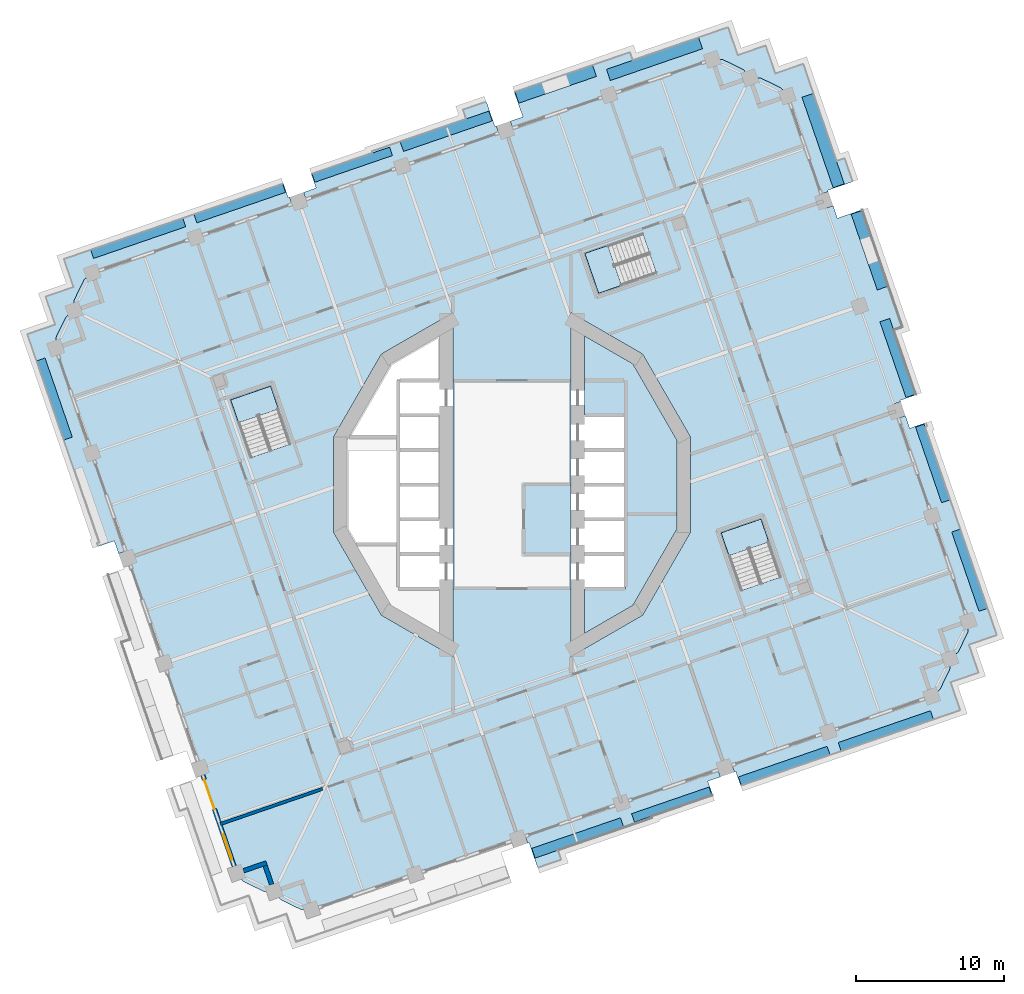
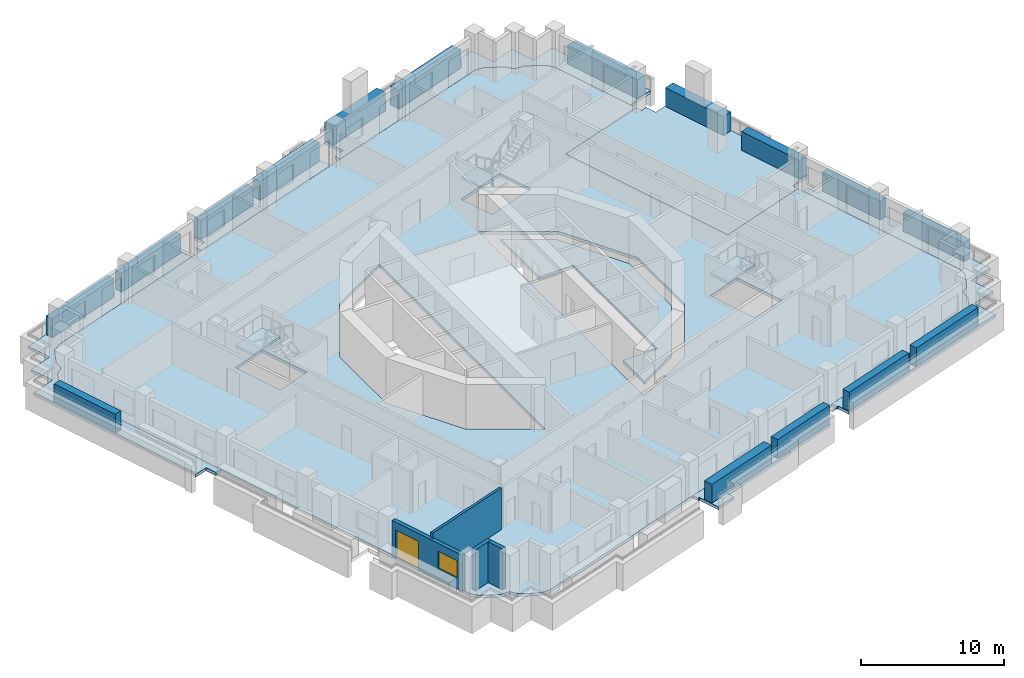
# One storey, part 3 of 19: 16 plates, 11 slabs, 4 walls, 1 door, 1 window, 2 openings, 3 elements without a shape of their own.
"""IFC4 building model written with IfcOpenShell, lengths in metres."""

from ifc_helpers import new_model, si_unit, direction, frame, frame_2d, origin, origin_2d, place, context, subcontext, project, spatial, polyline, rectangle, outline, extrude, material, layer, layer_set, type_object, element, fill, aggregate, save


model = new_model("IFC4")

# Units and contexts
model_context = context("Model", 3, precision=1e-05, world=origin(), true_north=direction((0.0, 1.0)))
body_context = subcontext(model_context, "Body", "Model", "MODEL_VIEW")
ifc_project = project(units=[si_unit("LENGTHUNIT", "METRE"), si_unit("AREAUNIT", "SQUARE_METRE"), si_unit("VOLUMEUNIT", "CUBIC_METRE"), si_unit("PLANEANGLEUNIT", "RADIAN"), si_unit("MASSUNIT", "GRAM", prefix="KILO")], contexts=[model_context])

# Site, building, storey
site_placement = place(None, origin())
site = spatial("IfcSite", under=ifc_project, at=site_placement, CompositionType="ELEMENT")
building_placement = place(site_placement, origin())
building = spatial("IfcBuilding", under=site, at=building_placement, Name="Cantera Rosa Tower", CompositionType="ELEMENT")
storey_placement = place(building_placement, frame((0.0, 0.0, 123.10009765625)))
storey = spatial("IfcBuildingStorey", under=building, at=storey_placement, Name="L25", CompositionType="ELEMENT", Elevation=123.10009765625)

# Slabs
ifc_material_1 = material(Name="Concrete C35/45", Category="concrete")
ifc_layer_1 = layer(ifc_material_1, 0.25)
ifc_layer_set_1 = layer_set([ifc_layer_1], Name="COMPOSITE FLOOR SLAB 250 C35/45")
slab_type_1 = type_object("IfcSlabType", Name="COMPOSITE FLOOR SLAB 250 C35/45", PredefinedType="FLOOR", material=ifc_layer_set_1)
slab_1_placement = place(storey_placement, frame((0.0, 0.0, -0.25)))
element("IfcSlab", 1, at=slab_1_placement, inside=storey, type_object=slab_type_1, Name="SLAB L25 floor 2", PredefinedType="FLOOR", context=body_context, shape_type="SweptSolid", body=[
    extrude(outline(polyline([(-15.605712890625, -28.125), (-15.631591796875, -28.111083984375), (-15.65576171875, -28.09423828125), (-15.67822265625, -28.075439453125), (-15.698974609375, -28.05419921875), (-16.109619140625, -27.54541015625), (-16.763671875, -27.534912109375), (-16.79296875, -27.53173828125), (-16.82177734375, -27.525634765625), (-16.849609375, -27.516845703125), (-16.876708984375, -27.505126953125), (-18.14794921875, -26.88525390625), (-18.173583984375, -26.87109375), (-18.197998046875, -26.8544921875), (-18.220458984375, -26.83544921875), (-18.240966796875, -26.814453125), (-18.65185546875, -26.3056640625), (-18.948974609375, -25.443115234375), (-30.893310546875, 9.245849609375), (-30.8828125, 9.899658203125), (-30.87939453125, 9.928955078125), (-30.873291015625, 9.957763671875), (-30.864501953125, 9.98583984375), (-30.852783203125, 10.012939453125), (-30.23291015625, 11.283935546875), (-30.21875, 11.309814453125), (-30.2021484375, 11.333984375), (-30.18310546875, 11.356689453125), (-30.162109375, 11.377197265625), (-29.6533203125, 11.7880859375), (-29.642822265625, 12.44189453125), (-29.6396484375, 12.47119140625), (-29.633544921875, 12.5), (-29.62451171875, 12.528076171875), (-29.613037109375, 12.55517578125), (-28.9931640625, 13.826171875), (-28.97900390625, 13.85205078125), (-28.962158203125, 13.876220703125), (-28.943359375, 13.898681640625), (-28.922119140625, 13.91943359375), (-28.41357421875, 14.330078125), (-27.55078125, 14.627197265625), (13.567626953125, 28.785400390625), (14.221435546875, 28.77490234375), (14.250732421875, 28.771728515625), (14.279541015625, 28.765625), (14.3076171875, 28.756591796875), (14.334716796875, 28.7451171875), (15.605712890625, 28.125), (15.631591796875, 28.111083984375), (15.65576171875, 28.09423828125), (15.67822265625, 28.075439453125), (15.698974609375, 28.05419921875), (16.109619140625, 27.54541015625), (16.763671875, 27.534912109375), (16.79296875, 27.53173828125), (16.82177734375, 27.525634765625), (16.849609375, 27.516845703125), (16.876708984375, 27.505126953125), (18.14794921875, 26.88525390625), (18.173583984375, 26.87109375), (18.197998046875, 26.8544921875), (18.220458984375, 26.83544921875), (18.240966796875, 26.814453125), (18.65185546875, 26.3056640625), (18.948974609375, 25.443115234375), (21.10009765625, 19.1953125), (14.0087890625, 16.753662109375), (18.9052734375, 2.532958984375), (25.99658203125, 4.974609375), (30.893310546875, -9.245849609375), (30.8828125, -9.899658203125), (30.87939453125, -9.928955078125), (30.873291015625, -9.957763671875), (30.864501953125, -9.98583984375), (30.852783203125, -10.012939453125), (30.23291015625, -11.283935546875), (30.21875, -11.309814453125), (30.2021484375, -11.333984375), (30.18310546875, -11.356689453125), (30.162109375, -11.377197265625), (29.6533203125, -11.7880859375), (29.642822265625, -12.44189453125), (29.6396484375, -12.47119140625), (29.633544921875, -12.5), (29.62451171875, -12.528076171875), (29.613037109375, -12.55517578125), (28.9931640625, -13.826171875), (28.97900390625, -13.85205078125), (28.962158203125, -13.876220703125), (28.943359375, -13.898681640625), (28.922119140625, -13.91943359375), (28.41357421875, -14.330078125), (27.55078125, -14.627197265625), (-13.567626953125, -28.785400390625), (-14.221435546875, -28.77490234375), (-14.250732421875, -28.771728515625), (-14.279541015625, -28.765625), (-14.3076171875, -28.756591796875), (-14.334716796875, -28.7451171875), (-15.605712890625, -28.125)]), holes=[polyline([(-12.07421875, 3.235107421875), (-12.07421875, -3.235107421875), (-8.8388671875, -8.8388671875), (-4.0, -11.632568359375), (-4.0, 11.632568359375), (-8.8388671875, 8.8388671875), (-12.07421875, 3.235107421875)]), polyline([(-16.347900390625, 6.6640625), (-19.042724609375, 5.736083984375), (-17.695556640625, 1.82373046875), (-15.000732421875, 2.751708984375), (-16.347900390625, 6.6640625)]), polyline([(16.85205078125, -2.3359375), (14.1572265625, -3.263916015625), (15.50439453125, -7.17626953125), (18.19921875, -6.248291015625), (16.85205078125, -2.3359375)]), polyline([(12.07421875, -3.235107421875), (12.07421875, 3.235107421875), (8.8388671875, 8.8388671875), (4.0, 11.632568359375), (4.0, -11.632568359375), (8.8388671875, -8.8388671875), (12.07421875, -3.235107421875)]), polyline([(8.848388671875, 16.999267578125), (4.935791015625, 15.652099609375), (5.86376953125, 12.957275390625), (9.7763671875, 14.304443359375), (8.848388671875, 16.999267578125)])]), origin(), (0.0, 0.0, 1.0), 0.25),
])
slab_2_placement = place(storey_placement, frame((0.0, 0.0, -0.25)))
element("IfcSlab", 2, at=slab_2_placement, inside=storey, type_object=slab_type_1, Name="SLAB L25 floor 3", PredefinedType="FLOOR", context=body_context, shape_type="SweptSolid", body=[
    extrude(outline(polyline([(7.699951171875, 0.0), (7.699951171875, 2.35009765625), (7.699951171875, 4.699951171875), (4.89990234375, 4.699951171875), (4.89990234375, 10.07373046875), (8.179931640625, 8.179931640625), (11.174072265625, 2.994140625), (11.174072265625, -2.994140625), (8.179931640625, -8.179931640625), (4.89990234375, -10.07373046875), (4.89990234375, -7.050048828125), (7.699951171875, -7.050048828125), (7.699951171875, -4.699951171875), (7.699951171875, -2.35009765625), (7.699951171875, 0.0)])), origin(), (0.0, 0.0, 1.0), 0.25),
])
ifc_material_2 = material(Name="Concrete C35/45", Category="concrete")
ifc_layer_2 = layer(ifc_material_2, 0.25)
ifc_layer_set_2 = layer_set([ifc_layer_2], Name="LOGGIA SLAB 250 C35/45")
slab_type_2 = type_object("IfcSlabType", Name="LOGGIA SLAB 250 C35/45", PredefinedType="FLOOR", material=ifc_layer_set_2)
slab_3_placement = place(storey_placement, frame((0.0, 0.0, -0.25)))
element("IfcSlab", 3, at=slab_3_placement, inside=storey, type_object=slab_type_2, Name="LOGGIA SLAB L25 1", PredefinedType="FLOOR", context=body_context, shape_type="SweptSolid", body=[
    extrude(outline(polyline([(-32.7998046875, 10.17578125), (-31.381591796875, 10.6640625), (-30.908935546875, 10.826904296875), (-31.071533203125, 11.2998046875), (-31.56005859375, 12.718017578125), (-30.1416015625, 13.206298828125), (-29.6689453125, 13.369140625), (-29.831787109375, 13.841796875), (-30.320068359375, 15.260009765625), (-28.90185546875, 15.74853515625), (-23.3232421875, 17.669189453125), (-20.48681640625, 18.64599609375), (-16.326416015625, 20.07861328125), (-15.4755859375, 20.37158203125), (-15.14990234375, 19.426025390625), (-15.055419921875, 19.45849609375), (-14.892578125, 18.98583984375), (-27.55078125, 14.627197265625), (-28.41357421875, 14.330078125), (-28.922119140625, 13.91943359375), (-28.943359375, 13.898681640625), (-28.962158203125, 13.876220703125), (-28.97900390625, 13.85205078125), (-28.9931640625, 13.826171875), (-29.613037109375, 12.55517578125), (-29.62451171875, 12.528076171875), (-29.633544921875, 12.5), (-29.6396484375, 12.47119140625), (-29.642822265625, 12.44189453125), (-29.6533203125, 11.7880859375), (-30.162109375, 11.377197265625), (-30.18310546875, 11.356689453125), (-30.2021484375, 11.333984375), (-30.21875, 11.309814453125), (-30.23291015625, 11.283935546875), (-30.852783203125, 10.012939453125), (-30.864501953125, 9.98583984375), (-30.873291015625, 9.957763671875), (-30.87939453125, 9.928955078125), (-30.8828125, 9.899658203125), (-30.893310546875, 9.245849609375), (-26.159423828125, -4.501953125), (-26.63232421875, -4.664794921875), (-26.92529296875, -3.813720703125), (-28.001708984375, -4.184326171875), (-28.079345703125, -3.958984375), (-27.948486328125, -3.913818359375), (-29.375, 0.22900390625), (-30.3515625, 3.0654296875), (-32.3115234375, 8.757568359375), (-32.7998046875, 10.17578125)])), origin(), (0.0, 0.0, 1.0), 0.25),
])
slab_4_placement = place(storey_placement, frame((0.0, 0.0, -0.25)))
element("IfcSlab", 4, at=slab_4_placement, inside=storey, type_object=slab_type_2, Name="LOGGIA SLAB L25 4", PredefinedType="FLOOR", context=body_context, shape_type="SweptSolid", body=[
    extrude(outline(polyline([(-1.73193359375, 25.916748046875), (-1.15625, 24.244384765625), (-1.061767578125, 24.277099609375), (-0.89892578125, 23.80419921875), (-13.947021484375, 19.311279296875), (-14.10986328125, 19.7841796875), (-13.2587890625, 20.0771484375), (-13.58447265625, 21.022705078125), (-13.489990234375, 21.05517578125), (-9.44140625, 22.44921875), (-9.47998046875, 22.56103515625), (-3.097900390625, 24.758544921875), (-3.309814453125, 25.37353515625), (-1.73193359375, 25.916748046875)])), origin(), (0.0, 0.0, 1.0), 0.25),
])
slab_5_placement = place(storey_placement, frame((0.0, 0.0, -0.25)))
element("IfcSlab", 5, at=slab_5_placement, inside=storey, type_object=slab_type_2, Name="LOGGIA SLAB L25 5", PredefinedType="FLOOR", context=body_context, shape_type="SweptSolid", body=[
    extrude(outline(polyline([(14.10986328125, -19.7841796875), (13.2587890625, -20.0771484375), (13.58447265625, -21.022705078125), (13.489990234375, -21.05517578125), (9.44140625, -22.44921875), (9.47998046875, -22.56103515625), (3.097900390625, -24.758544921875), (3.309814453125, -25.37353515625), (1.73193359375, -25.916748046875), (1.15625, -24.244384765625), (1.061767578125, -24.277099609375), (0.89892578125, -23.80419921875), (13.947021484375, -19.311279296875), (14.10986328125, -19.7841796875)])), origin(), (0.0, 0.0, 1.0), 0.25),
])
slab_6_placement = place(storey_placement, frame((0.0, 0.0, -0.25)))
element("IfcSlab", 6, at=slab_6_placement, inside=storey, type_object=slab_type_2, Name="LOGGIA SLAB L25 6", PredefinedType="FLOOR", context=body_context, shape_type="SweptSolid", body=[
    extrude(outline(polyline([(15.272705078125, 29.05517578125), (15.556396484375, 29.15283203125), (17.16357421875, 29.706298828125), (17.717041015625, 28.09912109375), (17.814697265625, 27.815185546875), (18.098388671875, 27.9130859375), (19.705810546875, 28.466552734375), (20.25927734375, 26.859130859375), (21.968017578125, 21.896240234375), (22.50830078125, 22.082275390625), (23.05224609375, 20.502197265625), (21.377685546875, 19.92529296875), (21.41015625, 19.830810546875), (20.9375, 19.668212890625), (18.948974609375, 25.443115234375), (18.65185546875, 26.3056640625), (18.240966796875, 26.814453125), (18.220458984375, 26.83544921875), (18.197998046875, 26.8544921875), (18.173583984375, 26.87109375), (18.14794921875, 26.88525390625), (16.876708984375, 27.505126953125), (16.849609375, 27.516845703125), (16.82177734375, 27.525634765625), (16.79296875, 27.53173828125), (16.763671875, 27.534912109375), (16.109619140625, 27.54541015625), (15.698974609375, 28.05419921875), (15.67822265625, 28.075439453125), (15.65576171875, 28.09423828125), (15.631591796875, 28.111083984375), (15.605712890625, 28.125), (14.334716796875, 28.7451171875), (14.3076171875, 28.756591796875), (14.279541015625, 28.765625), (14.250732421875, 28.771728515625), (14.221435546875, 28.77490234375), (13.567626953125, 28.785400390625), (0.046630859375, 24.1298828125), (-0.1162109375, 24.6025390625), (0.73486328125, 24.8955078125), (0.158935546875, 26.56787109375), (7.977294921875, 29.260009765625), (8.162353515625, 28.72216796875), (13.01416015625, 30.392822265625), (14.62158203125, 30.9462890625), (15.1748046875, 29.3388671875), (15.272705078125, 29.05517578125)])), origin(), (0.0, 0.0, 1.0), 0.25),
])
slab_7_placement = place(storey_placement, frame((0.0, 0.0, -0.25)))
element("IfcSlab", 7, at=slab_7_placement, inside=storey, type_object=slab_type_2, Name="LOGGIA SLAB L25 7", PredefinedType="FLOOR", context=body_context, shape_type="SweptSolid", body=[
    extrude(outline(polyline([(32.7998046875, -10.17578125), (31.381591796875, -10.6640625), (30.908935546875, -10.826904296875), (31.071533203125, -11.2998046875), (31.56005859375, -12.718017578125), (30.1416015625, -13.206298828125), (29.6689453125, -13.369140625), (29.831787109375, -13.841796875), (30.320068359375, -15.260009765625), (28.90185546875, -15.74853515625), (23.3232421875, -17.669189453125), (20.48681640625, -18.64599609375), (16.326416015625, -20.07861328125), (15.4755859375, -20.37158203125), (15.14990234375, -19.426025390625), (15.055419921875, -19.45849609375), (14.892578125, -18.98583984375), (27.55078125, -14.627197265625), (28.41357421875, -14.330078125), (28.922119140625, -13.91943359375), (28.943359375, -13.898681640625), (28.962158203125, -13.876220703125), (28.97900390625, -13.85205078125), (28.9931640625, -13.826171875), (29.613037109375, -12.55517578125), (29.62451171875, -12.528076171875), (29.633544921875, -12.5), (29.6396484375, -12.47119140625), (29.642822265625, -12.44189453125), (29.6533203125, -11.7880859375), (30.162109375, -11.377197265625), (30.18310546875, -11.356689453125), (30.2021484375, -11.333984375), (30.21875, -11.309814453125), (30.23291015625, -11.283935546875), (30.852783203125, -10.012939453125), (30.864501953125, -9.98583984375), (30.873291015625, -9.957763671875), (30.87939453125, -9.928955078125), (30.8828125, -9.899658203125), (30.893310546875, -9.245849609375), (26.159423828125, 4.501953125), (26.63232421875, 4.664794921875), (26.92529296875, 3.813720703125), (28.001708984375, 4.184326171875), (28.079345703125, 3.958984375), (27.948486328125, 3.913818359375), (29.375, -0.22900390625), (30.3515625, -3.0654296875), (32.3115234375, -8.757568359375), (32.7998046875, -10.17578125)])), origin(), (0.0, 0.0, 1.0), 0.25),
])

# Plates
ifc_material_3 = material(Name="Cantera stone planter with soil", Category="masonry")
plate_type_1 = type_object("IfcPlateType", Name="PLANTER 600", PredefinedType="USERDEFINED", material=ifc_material_3)
plate_1_placement = place(storey_placement, frame((30.974609375, -5.79638671875, -0.000244140625), z_axis=(0.0, 0.0, 1.0), x_axis=(-0.325568154457, 0.945518575599, 0.0)))
element("IfcPlate", 8, at=plate_1_placement, inside=storey, type_object=plate_type_1, Name="PLANTER L25-01", ObjectType="PLANTER", PredefinedType="USERDEFINED", context=body_context, shape_type="SweptSolid", body=[
    extrude(rectangle(XDim=5.669921875, YDim=0.60009765625, at=origin_2d()), origin(), (0.0, 0.0, 1.0), 1.60009765625),
])
plate_2_placement = place(storey_placement, frame((28.485595703125, 1.43212890625, -0.000244140625), z_axis=(0.0, 0.0, 1.0), x_axis=(-0.325568154457, 0.945518575599, 0.0)))
element("IfcPlate", 9, at=plate_2_placement, inside=storey, type_object=plate_type_1, Name="PLANTER L25-02", ObjectType="PLANTER", PredefinedType="USERDEFINED", context=body_context, shape_type="SweptSolid", body=[
    extrude(rectangle(XDim=5.419921875, YDim=0.60009765625, at=origin_2d()), origin(), (0.0, 0.0, 1.0), 1.60009765625),
])
plate_3_placement = place(storey_placement, frame((-10.815673828125, 21.65869140625, -0.000244140625), z_axis=(0.0, 0.0, 1.0), x_axis=(-0.945518575599, -0.325568154457, 0.0)))
element("IfcPlate", 10, at=plate_3_placement, inside=storey, type_object=plate_type_1, Name="PLANTER L25-09", ObjectType="PLANTER", PredefinedType="USERDEFINED", context=body_context, shape_type="SweptSolid", body=[
    extrude(rectangle(XDim=5.550048828125, YDim=0.60009765625, at=origin_2d()), origin(), (0.0, 0.0, 1.0), 1.60009765625),
])
plate_4_placement = place(storey_placement, frame((-18.427001953125, 19.037841796875, -0.000244140625), z_axis=(0.0, 0.0, 1.0), x_axis=(-0.945518575599, -0.325568154457, 0.0)))
element("IfcPlate", 11, at=plate_4_placement, inside=storey, type_object=plate_type_1, Name="PLANTER L25-10", ObjectType="PLANTER", PredefinedType="USERDEFINED", context=body_context, shape_type="SweptSolid", body=[
    extrude(rectangle(XDim=6.35009765625, YDim=0.60009765625, at=origin_2d()), origin(), (0.0, 0.0, 1.0), 1.60009765625),
])
plate_5_placement = place(storey_placement, frame((-25.3056640625, 16.66943359375, -0.000244140625), z_axis=(0.0, 0.0, 1.0), x_axis=(-0.945518575599, -0.325568154457, 0.0)))
element("IfcPlate", 12, at=plate_5_placement, inside=storey, type_object=plate_type_1, Name="PLANTER L25-11", ObjectType="PLANTER", PredefinedType="USERDEFINED", context=body_context, shape_type="SweptSolid", body=[
    extrude(rectangle(XDim=6.60009765625, YDim=0.60009765625, at=origin_2d()), origin(), (0.0, 0.0, 1.0), 1.60009765625),
])
plate_6_placement = place(storey_placement, frame((-30.974609375, 5.79638671875, -0.000244140625), z_axis=(0.0, 0.0, 1.0), x_axis=(0.325568154457, -0.945518575599, 0.0)))
element("IfcPlate", 13, at=plate_6_placement, inside=storey, type_object=plate_type_1, Name="PLANTER L25-12", ObjectType="PLANTER", PredefinedType="USERDEFINED", context=body_context, shape_type="SweptSolid", body=[
    extrude(rectangle(XDim=5.669921875, YDim=0.60009765625, at=origin_2d()), origin(), (0.0, 0.0, 1.0), 1.60009765625),
])
plate_7_placement = place(storey_placement, frame((10.815673828125, -21.65869140625, -0.000244140625), z_axis=(0.0, 0.0, 1.0), x_axis=(0.945518575599, 0.325568154457, 0.0)))
element("IfcPlate", 14, at=plate_7_placement, inside=storey, type_object=plate_type_1, Name="PLANTER L25-20", ObjectType="PLANTER", PredefinedType="USERDEFINED", context=body_context, shape_type="SweptSolid", body=[
    extrude(rectangle(XDim=5.550048828125, YDim=0.60009765625, at=origin_2d()), origin(), (0.0, 0.0, 1.0), 1.60009765625),
])
plate_8_placement = place(storey_placement, frame((18.427001953125, -19.037841796875, -0.000244140625), z_axis=(0.0, 0.0, 1.0), x_axis=(0.945518575599, 0.325568154457, 0.0)))
element("IfcPlate", 15, at=plate_8_placement, inside=storey, type_object=plate_type_1, Name="PLANTER L25-21", ObjectType="PLANTER", PredefinedType="USERDEFINED", context=body_context, shape_type="SweptSolid", body=[
    extrude(rectangle(XDim=6.35009765625, YDim=0.60009765625, at=origin_2d()), origin(), (0.0, 0.0, 1.0), 1.60009765625),
])
plate_9_placement = place(storey_placement, frame((25.3056640625, -16.66943359375, -0.000244140625), z_axis=(0.0, 0.0, 1.0), x_axis=(0.945518575599, 0.325568154457, 0.0)))
element("IfcPlate", 16, at=plate_9_placement, inside=storey, type_object=plate_type_1, Name="PLANTER L25-22", ObjectType="PLANTER", PredefinedType="USERDEFINED", context=body_context, shape_type="SweptSolid", body=[
    extrude(rectangle(XDim=6.60009765625, YDim=0.60009765625, at=origin_2d()), origin(), (0.0, 0.0, 1.0), 1.60009765625),
])
ifc_material_4 = material(Name="Cantera stone planter with soil", Category="masonry")
plate_type_2 = type_object("IfcPlateType", Name="PLANTER 700", PredefinedType="USERDEFINED", material=ifc_material_4)
plate_10_placement = place(storey_placement, frame((26.12109375, 8.571044921875, -0.000244140625), z_axis=(0.0, 0.0, 1.0), x_axis=(-0.325568154457, 0.945518575599, 0.0)))
element("IfcPlate", 17, at=plate_10_placement, inside=storey, type_object=plate_type_2, Name="PLANTER L25-03", ObjectType="PLANTER", PredefinedType="USERDEFINED", context=body_context, shape_type="SweptSolid", body=[
    extrude(rectangle(XDim=5.419921875, YDim=0.699951171875, at=origin_2d()), origin(), (0.0, 0.0, 1.0), 1.60009765625),
])
for number, where, z_axis, x_axis, name in (
    (18, (-4.45556640625, 23.9208984375, -0.000244140625), (0.0, 0.0, 1.0), (-0.945518575599, -0.325568154457, 0.0), "PLANTER L25-08"),
    (19, (4.45556640625, -23.9208984375, -0.000244140625), (0.0, 0.0, 1.0), (0.945518575599, 0.325568154457, 0.0), "PLANTER L25-19"),
):
    element("IfcPlate", number, at=place(storey_placement, frame(where, z_axis=z_axis, x_axis=x_axis)), inside=storey, type_object=plate_type_2, Name=name, ObjectType="PLANTER", PredefinedType="USERDEFINED", context=body_context, shape_type="SweptSolid", body=[
        extrude(rectangle(XDim=6.35009765625, YDim=0.699951171875, at=origin_2d()), origin(), (0.0, 0.0, 1.0), 1.60009765625),
    ])
ifc_material_5 = material(Name="Cantera stone planter with soil", Category="masonry")
plate_type_3 = type_object("IfcPlateType", Name="PLANTER 800", PredefinedType="USERDEFINED", material=ifc_material_5)
plate_11_placement = place(storey_placement, frame((24.223876953125, 15.87109375, -0.000244140625), z_axis=(0.0, 0.0, 1.0), x_axis=(-0.325568154457, 0.945518575599, 0.0)))
element("IfcPlate", 20, at=plate_11_placement, inside=storey, type_object=plate_type_3, Name="PLANTER L25-04", ObjectType="PLANTER", PredefinedType="USERDEFINED", context=body_context, shape_type="SweptSolid", body=[
    extrude(rectangle(XDim=5.419921875, YDim=0.800048828125, at=origin_2d()), origin(), (0.0, 0.0, 1.0), 1.60009765625),
])
plate_12_placement = place(storey_placement, frame((21.064453125, 23.2919921875, -0.000244140625), z_axis=(0.0, 0.0, 1.0), x_axis=(-0.325568154457, 0.945518575599, 0.0)))
element("IfcPlate", 21, at=plate_12_placement, inside=storey, type_object=plate_type_3, Name="PLANTER L25-05", ObjectType="PLANTER", PredefinedType="USERDEFINED", context=body_context, shape_type="SweptSolid", body=[
    extrude(rectangle(XDim=6.469970703125, YDim=0.800048828125, at=origin_2d()), origin(), (0.0, 0.0, 1.0), 1.60009765625),
])
plate_13_placement = place(storey_placement, frame((9.64599609375, 28.81005859375, -0.000244140625), z_axis=(0.0, 0.0, 1.0), x_axis=(-0.945518575599, -0.325568154457, 0.0)))
element("IfcPlate", 22, at=plate_13_placement, inside=storey, type_object=plate_type_3, Name="PLANTER L25-06", ObjectType="PLANTER", PredefinedType="USERDEFINED", context=body_context, shape_type="SweptSolid", body=[
    extrude(rectangle(XDim=6.60009765625, YDim=0.800048828125, at=origin_2d()), origin(), (0.0, 0.0, 1.0), 1.60009765625),
])
plate_14_placement = place(storey_placement, frame((2.960205078125, 27.109375, -0.000244140625), z_axis=(0.0, 0.0, 1.0), x_axis=(-0.945518575599, -0.325568154457, 0.0)))
element("IfcPlate", 23, at=plate_14_placement, inside=storey, type_object=plate_type_3, Name="PLANTER L25-07", ObjectType="PLANTER", PredefinedType="USERDEFINED", context=body_context, shape_type="SweptSolid", body=[
    extrude(rectangle(XDim=5.550048828125, YDim=0.800048828125, at=origin_2d()), origin(), (0.0, 0.0, 1.0), 1.60009765625),
])

# Stair, slab
ifc_material_6 = material(Name="Concrete C35/45", Category="concrete")
stair_type = type_object("IfcStairType", Name="EXIT STAIR 1350 DOGLEG", PredefinedType="HALF_TURN_STAIR", material=ifc_material_6)
stair_1_placement = place(storey_placement, origin())
stair_1 = element("IfcStair", 24, at=stair_1_placement, inside=storey, type_object=stair_type, Name="L25 ST-21", PredefinedType="HALF_TURN_STAIR")
ifc_material_7 = material(Name="Concrete C35/45", Category="concrete")
ifc_layer_3 = layer(ifc_material_7, 0.199951171875)
ifc_layer_set_3 = layer_set([ifc_layer_3], Name="STAIR LANDING 200")
slab_type_3 = type_object("IfcSlabType", Name="STAIR LANDING 200", PredefinedType="LANDING", material=ifc_layer_set_3)
slab_8_placement = place(storey_placement, frame((0.0, 0.0, 1.699951171875)))
slab_8 = element("IfcSlab", 25, at=slab_8_placement, type_object=slab_type_3, Name="ST-21 landing 1", PredefinedType="LANDING", context=body_context, shape_type="SweptSolid", body=[
    extrude(outline(polyline([(6.488525390625, 16.1865234375), (4.935791015625, 15.652099609375), (5.86376953125, 12.957275390625), (7.416259765625, 13.491943359375), (6.488525390625, 16.1865234375)])), origin(), (0.0, 0.0, 1.0), 0.199951171875),
])
aggregate(stair_1, [slab_8])

stair_2_placement = place(storey_placement, origin())
stair_2 = element("IfcStair", 26, at=stair_2_placement, inside=storey, type_object=stair_type, Name="L25 ST-22", PredefinedType="HALF_TURN_STAIR")
slab_9_placement = place(storey_placement, frame((0.0, 0.0, 1.699951171875)))
slab_9 = element("IfcSlab", 27, at=slab_9_placement, type_object=slab_type_3, Name="ST-22 landing 1", PredefinedType="LANDING", context=body_context, shape_type="SweptSolid", body=[
    extrude(outline(polyline([(-15.8134765625, 5.111572265625), (-16.347900390625, 6.6640625), (-19.042724609375, 5.736328125), (-18.508056640625, 4.18359375), (-15.8134765625, 5.111572265625)])), origin(), (0.0, 0.0, 1.0), 0.199951171875),
])
aggregate(stair_2, [slab_9])

stair_3_placement = place(storey_placement, origin())
stair_3 = element("IfcStair", 28, at=stair_3_placement, inside=storey, type_object=stair_type, Name="L25 ST-23", PredefinedType="HALF_TURN_STAIR")
slab_10_placement = place(storey_placement, frame((0.0, 0.0, 1.699951171875)))
slab_10 = element("IfcSlab", 29, at=slab_10_placement, type_object=slab_type_3, Name="ST-23 landing 1", PredefinedType="LANDING", context=body_context, shape_type="SweptSolid", body=[
    extrude(outline(polyline([(17.38671875, -3.888427734375), (16.85205078125, -2.3359375), (14.1572265625, -3.263671875), (14.69189453125, -4.81640625), (17.38671875, -3.888427734375)])), origin(), (0.0, 0.0, 1.0), 0.199951171875),
])
aggregate(stair_3, [slab_10])

# Slab
ifc_material_8 = material(Name="Concrete C35/45", Category="concrete")
ifc_layer_4 = layer(ifc_material_8, 0.25)
ifc_layer_set_4 = layer_set([ifc_layer_4], Name="TERRACE SLAB 250 C35/45")
slab_type_4 = type_object("IfcSlabType", Name="TERRACE SLAB 250 C35/45", PredefinedType="FLOOR", material=ifc_layer_set_4)
slab_11_placement = place(storey_placement, frame((0.0, 0.0, -0.25)))
element("IfcSlab", 30, at=slab_11_placement, inside=storey, type_object=slab_type_4, Name="TERRACE SLAB L25 1", PredefinedType="FLOOR", context=body_context, shape_type="SweptSolid", body=[
    extrude(outline(polyline([(21.262939453125, 18.72265625), (21.735595703125, 18.885498046875), (22.02880859375, 18.034423828125), (23.703369140625, 18.611083984375), (26.435302734375, 10.677001953125), (25.837158203125, 10.470947265625), (27.3505859375, 6.075439453125), (26.274169921875, 5.704833984375), (26.306640625, 5.6103515625), (25.833984375, 5.447509765625), (25.99658203125, 4.974609375), (18.9052734375, 2.532958984375), (14.0087890625, 16.753662109375), (21.10009765625, 19.1953125), (21.262939453125, 18.72265625)])), origin(), (0.0, 0.0, 1.0), 0.25),
])

# Walls
ifc_material_9 = material(Name="Hollow clay masonry with cantera stone cladding", Category="masonry")
ifc_layer_5 = layer(ifc_material_9, 0.300048828125)
ifc_layer_set_5 = layer_set([ifc_layer_5], Name="EW-LOGGIA 300")
wall_type_1 = type_object("IfcWallType", Name="EW-LOGGIA 300", PredefinedType="SOLIDWALL", material=ifc_layer_set_5)
wall_1_placement = place(storey_placement, frame((-18.17919921875, -26.142822265625, 0.0), z_axis=(0.0, 0.0, 1.0), x_axis=(0.945530119553, 0.32553462645, 0.0)))
element("IfcWall", 31, at=wall_1_placement, inside=storey, type_object=wall_type_1, Name="EN-L25-W21a", PredefinedType="SOLIDWALL", context=body_context, shape_type="SweptSolid", body=[
    extrude(rectangle(XDim=1.64990234375, YDim=0.300048828125, at=frame_2d((0.824951171875, 0.0))), origin(), (0.0, 0.0, 1.0), 3.5),
])
wall_2_placement = place(storey_placement, frame((-16.7119140625, -25.79638671875, 0.0), z_axis=(0.0, 0.0, 1.0), x_axis=(0.325544748006, -0.945526634763, 0.0)))
element("IfcWall", 32, at=wall_2_placement, inside=storey, type_object=wall_type_1, Name="EN-L25-W21b", PredefinedType="SOLIDWALL", context=body_context, shape_type="SweptSolid", body=[
    extrude(rectangle(XDim=1.349853515625, YDim=0.300048828125, at=frame_2d((0.6748046875, 0.0))), origin(), (0.0, 0.0, 1.0), 3.5),
])

# Wall, openings, window, door
ifc_material_10 = material(Name="Hollow clay masonry with cantera stone cladding", Category="masonry")
ifc_layer_6 = layer(ifc_material_10, 0.300048828125)
ifc_layer_set_6 = layer_set([ifc_layer_6], Name="EW-LOGGIA 300 H3090")
wall_type_2 = type_object("IfcWallType", Name="EW-LOGGIA 300 H3090", PredefinedType="SOLIDWALL", material=ifc_layer_set_6)
wall_3_placement = place(storey_placement, frame((-20.9375, -19.668212890625, 0.0), z_axis=(0.0, 0.0, 1.0), x_axis=(0.325592517631, -0.945510186335, 0.0)))
wall_3 = element("IfcWall", 33, at=wall_3_placement, inside=storey, type_object=wall_type_2, Name="EN-L25-W20", PredefinedType="SOLIDWALL", context=body_context, shape_type="SweptSolid", body=[
    extrude(rectangle(XDim=6.519775390625, YDim=0.300048828125, at=frame_2d((3.259765625, 0.0))), origin(), (0.0, 0.0, 1.0), 3.08984375),
])
opening_1_placement = place(wall_3_placement, frame((0.330078125, 0.0, 0.0)))
opening_1 = element("IfcOpeningElement", 34, at=opening_1_placement, cuts=wall_3, Name="Opening L25-TD27", PredefinedType="OPENING", context=body_context, shape_type="SweptSolid", body=[
    extrude(rectangle(XDim=2.10009765625, YDim=2.39990234375, at=frame_2d((1.050048828125, 1.199951171875))), frame((0.0, 0.159912109375, 0.0), z_axis=(0.0, -1.0, 0.0), x_axis=(1.0, 0.0, 0.0)), (0.0, 0.0, 1.0), 0.320068359375),
])
opening_2_placement = place(wall_3_placement, frame((4.239990234375, 0.0, 0.89990234375)))
opening_2 = element("IfcOpeningElement", 35, at=opening_2_placement, cuts=wall_3, Name="Opening L25-W28", PredefinedType="OPENING", context=body_context, shape_type="SweptSolid", body=[
    extrude(rectangle(XDim=1.800048828125, YDim=1.5, at=frame_2d((0.89990234375, 0.75))), frame((0.0, 0.159912109375, 0.0), z_axis=(0.0, -1.0, 0.0), x_axis=(1.0, 0.0, 0.0)), (0.0, 0.0, 1.0), 0.320068359375),
])
ifc_material_11 = material(Name="Aluminium frame with clear glass", Category="aluminium")
window_type = type_object("IfcWindowType", Name="Hotel room window 1800x1500", PartitioningType="DOUBLE_PANEL_VERTICAL", PredefinedType="WINDOW", material=ifc_material_11)
window_placement = place(opening_2_placement, origin())
window = element("IfcWindow", 36, at=window_placement, inside=storey, type_object=window_type, Name="WINDOW L25-W28", OverallHeight=1.5, OverallWidth=1.800048828125, PartitioningType="SINGLE_PANEL", PredefinedType="WINDOW", context=body_context, shape_type="SweptSolid", body=[
    extrude(rectangle(XDim=1.800048828125, YDim=1.5, at=frame_2d((0.89990234375, 0.75))), frame((0.0, 0.030029296875, 0.0), z_axis=(0.0, -1.0, 0.0), x_axis=(1.0, 0.0, 0.0)), (0.0, 0.0, 1.0), 0.06005859375),
])
fill(opening_2, window)
ifc_material_12 = material(Name="Aluminium frame with clear glass", Category="aluminium")
door_type = type_object("IfcDoorType", Name="TD-H 2100x2400", OperationType="NOTDEFINED", PredefinedType="DOOR", material=ifc_material_12)
door_placement = place(opening_1_placement, origin())
door = element("IfcDoor", 37, at=door_placement, inside=storey, type_object=door_type, Name="LOGGIA DOOR L25-TD27", OperationType="SLIDING_TO_LEFT", OverallHeight=2.39990234375, OverallWidth=2.10009765625, PredefinedType="DOOR", context=body_context, shape_type="SweptSolid", body=[
    extrude(rectangle(XDim=2.10009765625, YDim=2.39990234375, at=frame_2d((1.050048828125, 1.199951171875))), frame((0.0, 0.02490234375, 0.0), z_axis=(0.0, -1.0, 0.0), x_axis=(1.0, 0.0, 0.0)), (0.0, 0.0, 1.0), 0.050048828125),
])
fill(opening_1, door)

# Wall
ifc_material_13 = material(Name="Gypsum board partition")
ifc_layer_7 = layer(ifc_material_13, 0.199951171875)
ifc_layer_set_7 = layer_set([ifc_layer_7], Name="PARTY WALL 200 H3550")
wall_type_3 = type_object("IfcWallType", Name="PARTY WALL 200 H3550", PredefinedType="PARTITIONING", material=ifc_layer_set_7)
wall_4_placement = place(storey_placement, frame((-19.762939453125, -22.986572265625, 0.0), z_axis=(0.0, 0.0, 1.0), x_axis=(0.945511269654, 0.32558937169, 0.0)))
element("IfcWall", 38, at=wall_4_placement, inside=storey, type_object=wall_type_3, Name="PARTY WALL L25-006", PredefinedType="PARTITIONING", context=body_context, shape_type="SweptSolid", body=[
    extrude(rectangle(XDim=7.349853515625, YDim=0.199951171875, at=frame_2d((3.6748046875, 0.0))), origin(), (0.0, 0.0, 1.0), 3.5498046875),
])

save(model, "model.ifc")
